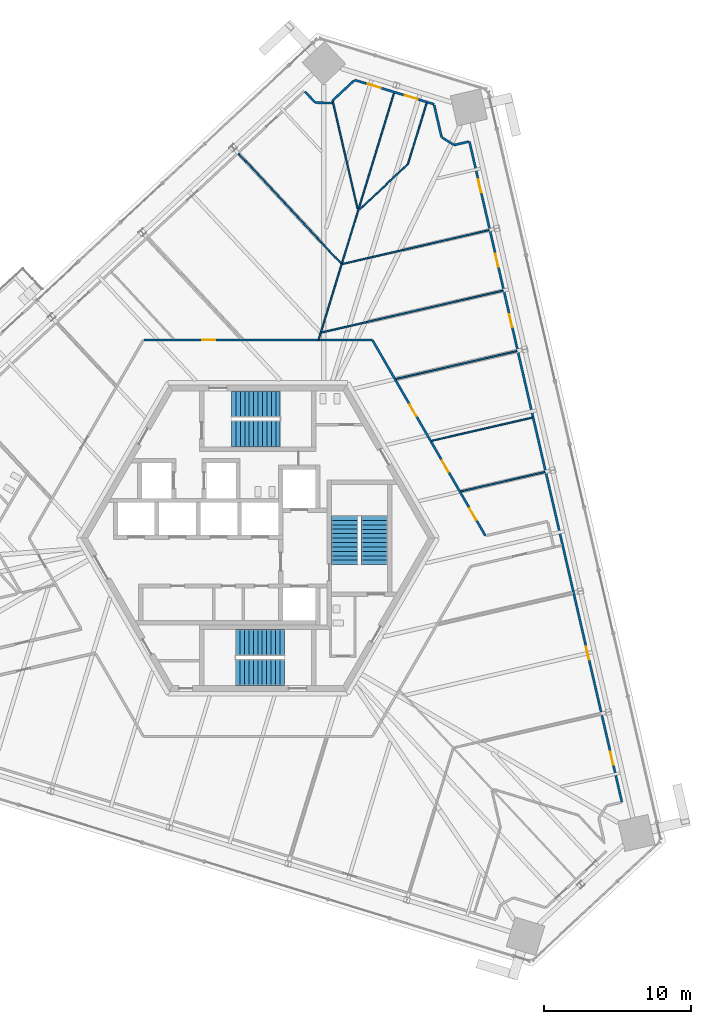
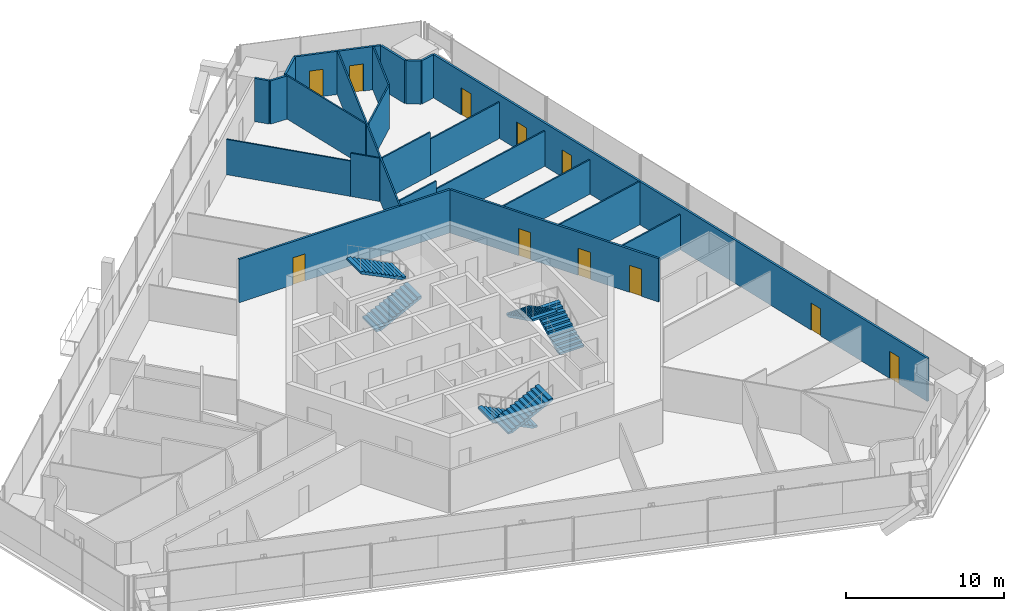
# One storey, part 21 of 25: 23 walls, 11 doors, 6 stair flights, 11 openings, 3 elements without a shape of their own.
"""IFC4 building model written with IfcOpenShell, lengths in metres."""

from ifc_helpers import new_model, si_unit, direction, frame, frame_2d, origin, place, context, subcontext, project, spatial, polyline, rectangle, outline, extrude, source, transform, mapped, material, layer, layer_set, type_object, element, fill, aggregate, save


model = new_model("IFC4")

# Units and contexts
model_context = context("Model", 3, precision=1e-05, world=origin(), true_north=direction((0.0, 1.0)))
body_context = subcontext(model_context, "Body", "Model", "MODEL_VIEW")
ifc_project = project(units=[si_unit("LENGTHUNIT", "METRE"), si_unit("AREAUNIT", "SQUARE_METRE"), si_unit("VOLUMEUNIT", "CUBIC_METRE"), si_unit("PLANEANGLEUNIT", "RADIAN"), si_unit("MASSUNIT", "GRAM", prefix="KILO")], contexts=[model_context])

# Site, building, storey
site_placement = place(None, origin())
site = spatial("IfcSite", under=ifc_project, at=site_placement, CompositionType="ELEMENT")
building_placement = place(site_placement, origin())
building = spatial("IfcBuilding", under=site, at=building_placement, Name="Triune Harvest Tower", CompositionType="ELEMENT")
storey_placement = place(building_placement, frame((0.0, 0.0, 130.699951171875)))
storey = spatial("IfcBuildingStorey", under=building, at=storey_placement, Name="L33", CompositionType="ELEMENT", Elevation=130.699951171875)

# Wall, openings, doors
ifc_material_1 = material(Name="Gypsum board on steel studs", Category="steel")
ifc_layer_1 = layer(ifc_material_1, 0.14990234375)
ifc_layer_set_1 = layer_set([ifc_layer_1], Name="Gypsum board on steel studs")
wall_type_1 = type_object("IfcWallType", Name="Fire Partition 150 mm", PredefinedType="PARTITIONING", material=ifc_layer_set_1)
wall_1_placement = place(storey_placement, frame((14.33984375, 26.903564453125, 0.0), z_axis=(0.0, 0.0, 1.0), x_axis=(0.224956459393, -0.974368816916, 0.0)))
wall_1 = element("IfcWall", 1, at=wall_1_placement, inside=storey, type_object=wall_type_1, Name="Partition L33 007", PredefinedType="PARTITIONING", context=body_context, shape_type="SweptSolid", body=[
    extrude(rectangle(XDim=45.976806640625, YDim=0.14990234375, at=frame_2d((22.98828125, 0.0))), origin(), (0.0, 0.0, 1.0), 3.35009765625),
])
opening_1_placement = place(wall_1_placement, frame((42.46728515625, 0.0, 0.0)))
opening_1 = element("IfcOpeningElement", 2, at=opening_1_placement, cuts=wall_1, Name="Opening L33-001", PredefinedType="OPENING", context=body_context, shape_type="SweptSolid", body=[
    extrude(rectangle(XDim=0.89990234375, YDim=2.10009765625, at=frame_2d((0.449951171875, 1.050048828125))), frame((0.0, 0.0849609375, 0.0), z_axis=(0.0, -1.0, 0.0), x_axis=(1.0, 0.0, 0.0)), (0.0, 0.0, 1.0), 0.169921875),
])
opening_2_placement = place(wall_1_placement, frame((35.152587890625, 0.0, 0.0)))
opening_2 = element("IfcOpeningElement", 3, at=opening_2_placement, cuts=wall_1, Name="Opening L33-002", PredefinedType="OPENING", context=body_context, shape_type="SweptSolid", body=[
    extrude(rectangle(XDim=0.89990234375, YDim=2.10009765625, at=frame_2d((0.449951171875, 1.050048828125))), frame((0.0, 0.0849609375, 0.0), z_axis=(0.0, -1.0, 0.0), x_axis=(1.0, 0.0, 0.0)), (0.0, 0.0, 1.0), 0.169921875),
])
opening_3_placement = place(wall_1_placement, frame((7.809326171875, 0.0, 0.0)))
opening_3 = element("IfcOpeningElement", 4, at=opening_3_placement, cuts=wall_1, Name="Opening L33-007", PredefinedType="OPENING", context=body_context, shape_type="SweptSolid", body=[
    extrude(rectangle(XDim=0.89990234375, YDim=2.10009765625, at=frame_2d((0.449951171875, 1.050048828125))), frame((0.0, 0.0849609375, 0.0), z_axis=(0.0, -1.0, 0.0), x_axis=(1.0, 0.0, 0.0)), (0.0, 0.0, 1.0), 0.169921875),
])
opening_4_placement = place(wall_1_placement, frame((12.0166015625, 0.0, 0.0)))
opening_4 = element("IfcOpeningElement", 5, at=opening_4_placement, cuts=wall_1, Name="Opening L33-008", PredefinedType="OPENING", context=body_context, shape_type="SweptSolid", body=[
    extrude(rectangle(XDim=0.89990234375, YDim=2.10009765625, at=frame_2d((0.449951171875, 1.050048828125))), frame((0.0, 0.0849609375, 0.0), z_axis=(0.0, -1.0, 0.0), x_axis=(1.0, 0.0, 0.0)), (0.0, 0.0, 1.0), 0.169921875),
])
opening_5_placement = place(wall_1_placement, frame((2.64990234375, 0.0, 0.0)))
opening_5 = element("IfcOpeningElement", 6, at=opening_5_placement, cuts=wall_1, Name="Opening L33-009", PredefinedType="OPENING", context=body_context, shape_type="SweptSolid", body=[
    extrude(rectangle(XDim=0.89990234375, YDim=2.10009765625, at=frame_2d((0.449951171875, 1.050048828125))), frame((0.0, 0.0849609375, 0.0), z_axis=(0.0, -1.0, 0.0), x_axis=(1.0, 0.0, 0.0)), (0.0, 0.0, 1.0), 0.169921875),
])
ifc_material_2 = material(Name="Timber and steel door set", Category="steel")
door_type_1 = type_object("IfcDoorType", Name="Single leaf door FD30 left hand 900 x 2100", OperationType="SINGLE_SWING_LEFT", PredefinedType="DOOR", material=ifc_material_2)
door_1_placement = place(opening_1_placement, origin())
door_1 = element("IfcDoor", 7, at=door_1_placement, inside=storey, type_object=door_type_1, Name="Door L33-001 Reception 33.01", OperationType="SINGLE_SWING_LEFT", OverallHeight=2.10009765625, OverallWidth=0.89990234375, PredefinedType="DOOR", context=body_context, shape_type="SweptSolid", body=[
    extrude(rectangle(XDim=0.89990234375, YDim=2.10009765625, at=frame_2d((0.449951171875, 1.050048828125))), frame((0.0, 0.02490234375, 0.0), z_axis=(0.0, -1.0, 0.0), x_axis=(1.0, 0.0, 0.0)), (0.0, 0.0, 1.0), 0.050048828125),
])
fill(opening_1, door_1)
door_2_placement = place(opening_2_placement, origin())
door_2 = element("IfcDoor", 8, at=door_2_placement, inside=storey, type_object=door_type_1, Name="Door L33-002 Project Room 33.02", OperationType="SINGLE_SWING_LEFT", OverallHeight=2.10009765625, OverallWidth=0.89990234375, PredefinedType="DOOR", context=body_context, shape_type="SweptSolid", body=[
    extrude(rectangle(XDim=0.89990234375, YDim=2.10009765625, at=frame_2d((0.449951171875, 1.050048828125))), frame((0.0, 0.02490234375, 0.0), z_axis=(0.0, -1.0, 0.0), x_axis=(1.0, 0.0, 0.0)), (0.0, 0.0, 1.0), 0.050048828125),
])
fill(opening_2, door_2)
ifc_material_3 = material(Name="Timber and steel door set", Category="steel")
door_type_2 = type_object("IfcDoorType", Name="Single leaf door FD30 right hand 900 x 2100", OperationType="SINGLE_SWING_RIGHT", PredefinedType="DOOR", material=ifc_material_3)
door_3_placement = place(opening_3_placement, origin())
door_3 = element("IfcDoor", 9, at=door_3_placement, inside=storey, type_object=door_type_2, Name="Door L33-007 Office 33.07", OperationType="SINGLE_SWING_RIGHT", OverallHeight=2.10009765625, OverallWidth=0.89990234375, PredefinedType="DOOR", context=body_context, shape_type="SweptSolid", body=[
    extrude(rectangle(XDim=0.89990234375, YDim=2.10009765625, at=frame_2d((0.449951171875, 1.050048828125))), frame((0.0, 0.02490234375, 0.0), z_axis=(0.0, -1.0, 0.0), x_axis=(1.0, 0.0, 0.0)), (0.0, 0.0, 1.0), 0.050048828125),
])
fill(opening_3, door_3)
door_4_placement = place(opening_4_placement, origin())
door_4 = element("IfcDoor", 10, at=door_4_placement, inside=storey, type_object=door_type_2, Name="Door L33-008 Office 33.08", OperationType="SINGLE_SWING_RIGHT", OverallHeight=2.10009765625, OverallWidth=0.89990234375, PredefinedType="DOOR", context=body_context, shape_type="SweptSolid", body=[
    extrude(rectangle(XDim=0.89990234375, YDim=2.10009765625, at=frame_2d((0.449951171875, 1.050048828125))), frame((0.0, 0.02490234375, 0.0), z_axis=(0.0, -1.0, 0.0), x_axis=(1.0, 0.0, 0.0)), (0.0, 0.0, 1.0), 0.050048828125),
])
fill(opening_4, door_4)
door_5_placement = place(opening_5_placement, origin())
door_5 = element("IfcDoor", 11, at=door_5_placement, inside=storey, type_object=door_type_2, Name="Door L33-009 Project Room 33.09", OperationType="SINGLE_SWING_RIGHT", OverallHeight=2.10009765625, OverallWidth=0.89990234375, PredefinedType="DOOR", context=body_context, shape_type="SweptSolid", body=[
    extrude(rectangle(XDim=0.89990234375, YDim=2.10009765625, at=frame_2d((0.449951171875, 1.050048828125))), frame((0.0, 0.02490234375, 0.0), z_axis=(0.0, -1.0, 0.0), x_axis=(1.0, 0.0, 0.0)), (0.0, 0.0, 1.0), 0.050048828125),
])
fill(opening_5, door_5)

wall_2_placement = place(storey_placement, frame((7.785888671875, 13.39892578125, 0.0), z_axis=(0.0, 0.0, 1.0), x_axis=(0.499997244953, -0.866026994406, 0.0)))
wall_2 = element("IfcWall", 12, at=wall_2_placement, inside=storey, type_object=wall_type_1, Name="Partition L33 011", PredefinedType="PARTITIONING", context=body_context, shape_type="SweptSolid", body=[
    extrude(rectangle(XDim=15.27880859375, YDim=0.14990234375, at=frame_2d((7.639404296875, 0.0))), origin(), (0.0, 0.0, 1.0), 3.35009765625),
])
opening_6_placement = place(wall_2_placement, frame((13.12890625, 0.0, 0.0)))
opening_6 = element("IfcOpeningElement", 13, at=opening_6_placement, cuts=wall_2, Name="Opening L33-004", PredefinedType="OPENING", context=body_context, shape_type="SweptSolid", body=[
    extrude(rectangle(XDim=0.89990234375, YDim=2.10009765625, at=frame_2d((0.449951171875, 1.050048828125))), frame((0.0, 0.0849609375, 0.0), z_axis=(0.0, -1.0, 0.0), x_axis=(1.0, 0.0, 0.0)), (0.0, 0.0, 1.0), 0.169921875),
])
opening_7_placement = place(wall_2_placement, frame((5.010986328125, 0.0, 0.0)))
opening_7 = element("IfcOpeningElement", 14, at=opening_7_placement, cuts=wall_2, Name="Opening L33-005", PredefinedType="OPENING", context=body_context, shape_type="SweptSolid", body=[
    extrude(rectangle(XDim=0.89990234375, YDim=2.10009765625, at=frame_2d((0.449951171875, 1.050048828125))), frame((0.0, 0.0849609375, 0.0), z_axis=(0.0, -1.0, 0.0), x_axis=(1.0, 0.0, 0.0)), (0.0, 0.0, 1.0), 0.169921875),
])
opening_8_placement = place(wall_2_placement, frame((9.37060546875, 0.0, 0.0)))
opening_8 = element("IfcOpeningElement", 15, at=opening_8_placement, cuts=wall_2, Name="Opening L33-006", PredefinedType="OPENING", context=body_context, shape_type="SweptSolid", body=[
    extrude(rectangle(XDim=0.89990234375, YDim=2.10009765625, at=frame_2d((0.449951171875, 1.050048828125))), frame((0.0, 0.0849609375, 0.0), z_axis=(0.0, -1.0, 0.0), x_axis=(1.0, 0.0, 0.0)), (0.0, 0.0, 1.0), 0.169921875),
])
door_6_placement = place(opening_7_placement, origin())
door_6 = element("IfcDoor", 16, at=door_6_placement, inside=storey, type_object=door_type_1, Name="Door L33-005 Project Room 33.05", OperationType="SINGLE_SWING_LEFT", OverallHeight=2.10009765625, OverallWidth=0.89990234375, PredefinedType="DOOR", context=body_context, shape_type="SweptSolid", body=[
    extrude(rectangle(XDim=0.89990234375, YDim=2.10009765625, at=frame_2d((0.449951171875, 1.050048828125))), frame((0.0, 0.02490234375, 0.0), z_axis=(0.0, -1.0, 0.0), x_axis=(1.0, 0.0, 0.0)), (0.0, 0.0, 1.0), 0.050048828125),
])
fill(opening_7, door_6)
door_7_placement = place(opening_6_placement, origin())
door_7 = element("IfcDoor", 17, at=door_7_placement, inside=storey, type_object=door_type_2, Name="Door L33-004 Meeting Room 33.04", OperationType="SINGLE_SWING_RIGHT", OverallHeight=2.10009765625, OverallWidth=0.89990234375, PredefinedType="DOOR", context=body_context, shape_type="SweptSolid", body=[
    extrude(rectangle(XDim=0.89990234375, YDim=2.10009765625, at=frame_2d((0.449951171875, 1.050048828125))), frame((0.0, 0.02490234375, 0.0), z_axis=(0.0, -1.0, 0.0), x_axis=(1.0, 0.0, 0.0)), (0.0, 0.0, 1.0), 0.050048828125),
])
fill(opening_6, door_7)
door_8_placement = place(opening_8_placement, origin())
door_8 = element("IfcDoor", 18, at=door_8_placement, inside=storey, type_object=door_type_2, Name="Door L33-006 Pantry 33.06", OperationType="SINGLE_SWING_RIGHT", OverallHeight=2.10009765625, OverallWidth=0.89990234375, PredefinedType="DOOR", context=body_context, shape_type="SweptSolid", body=[
    extrude(rectangle(XDim=0.89990234375, YDim=2.10009765625, at=frame_2d((0.449951171875, 1.050048828125))), frame((0.0, 0.02490234375, 0.0), z_axis=(0.0, -1.0, 0.0), x_axis=(1.0, 0.0, 0.0)), (0.0, 0.0, 1.0), 0.050048828125),
])
fill(opening_8, door_8)

# Wall
wall_3_placement = place(storey_placement, frame((3.190185546875, 30.2861328125, 0.0), z_axis=(0.0, 0.0, 1.0), x_axis=(0.682089280606, -0.731268906273, 0.0)))
element("IfcWall", 19, at=wall_3_placement, inside=storey, type_object=wall_type_1, Name="Partition L33 025", PredefinedType="PARTITIONING", context=body_context, shape_type="SweptSolid", body=[
    extrude(rectangle(XDim=0.98779296875, YDim=0.14990234375, at=frame_2d((0.493896484375, 0.0))), origin(), (0.0, 0.0, 1.0), 3.35009765625),
])

# Wall, openings, doors
wall_4_placement = place(storey_placement, frame((6.5595703125, 31.072509765625, 0.0), z_axis=(0.0, 0.0, 1.0), x_axis=(0.956315172659, -0.292337631076, 0.0)))
wall_4 = element("IfcWall", 20, at=wall_4_placement, inside=storey, type_object=wall_type_1, Name="Partition L33 032", PredefinedType="PARTITIONING", context=body_context, shape_type="SweptSolid", body=[
    extrude(rectangle(XDim=5.62451171875, YDim=0.14990234375, at=frame_2d((2.812255859375, 0.0))), origin(), (0.0, 0.0, 1.0), 3.35009765625),
])
opening_9_placement = place(wall_4_placement, frame((3.56201171875, 0.0, 0.0)))
opening_9 = element("IfcOpeningElement", 21, at=opening_9_placement, cuts=wall_4, Name="Opening L33-010", PredefinedType="OPENING", context=body_context, shape_type="SweptSolid", body=[
    extrude(rectangle(XDim=0.89990234375, YDim=2.10009765625, at=frame_2d((0.449951171875, 1.050048828125))), frame((0.0, 0.0849609375, 0.0), z_axis=(0.0, -1.0, 0.0), x_axis=(1.0, 0.0, 0.0)), (0.0, 0.0, 1.0), 0.169921875),
])
opening_10_placement = place(wall_4_placement, frame((0.951171875, 0.0, 0.0)))
opening_10 = element("IfcOpeningElement", 22, at=opening_10_placement, cuts=wall_4, Name="Opening L33-011", PredefinedType="OPENING", context=body_context, shape_type="SweptSolid", body=[
    extrude(rectangle(XDim=0.89990234375, YDim=2.10009765625, at=frame_2d((0.449951171875, 1.050048828125))), frame((0.0, 0.0849609375, 0.0), z_axis=(0.0, -1.0, 0.0), x_axis=(1.0, 0.0, 0.0)), (0.0, 0.0, 1.0), 0.169921875),
])
door_9_placement = place(opening_9_placement, origin())
door_9 = element("IfcDoor", 23, at=door_9_placement, inside=storey, type_object=door_type_1, Name="Door L33-010 Print room 33.10", OperationType="SINGLE_SWING_LEFT", OverallHeight=2.10009765625, OverallWidth=0.89990234375, PredefinedType="DOOR", context=body_context, shape_type="SweptSolid", body=[
    extrude(rectangle(XDim=0.89990234375, YDim=2.10009765625, at=frame_2d((0.449951171875, 1.050048828125))), frame((0.0, 0.02490234375, 0.0), z_axis=(0.0, -1.0, 0.0), x_axis=(1.0, 0.0, 0.0)), (0.0, 0.0, 1.0), 0.050048828125),
])
fill(opening_9, door_9)
door_10_placement = place(opening_10_placement, origin())
door_10 = element("IfcDoor", 24, at=door_10_placement, inside=storey, type_object=door_type_2, Name="Door L33-011 Pantry 33.11", OperationType="SINGLE_SWING_RIGHT", OverallHeight=2.10009765625, OverallWidth=0.89990234375, PredefinedType="DOOR", context=body_context, shape_type="SweptSolid", body=[
    extrude(rectangle(XDim=0.89990234375, YDim=2.10009765625, at=frame_2d((0.449951171875, 1.050048828125))), frame((0.0, 0.02490234375, 0.0), z_axis=(0.0, -1.0, 0.0), x_axis=(1.0, 0.0, 0.0)), (0.0, 0.0, 1.0), 0.050048828125),
])
fill(opening_10, door_10)

# Wall
wall_5_placement = place(storey_placement, frame((3.884521484375, 29.541748046875, 0.0), z_axis=(0.0, 0.0, 1.0), x_axis=(0.999392540389, -0.034850397629, 0.0)))
element("IfcWall", 25, at=wall_5_placement, inside=storey, type_object=wall_type_1, Name="Partition L33 033", PredefinedType="PARTITIONING", context=body_context, shape_type="SweptSolid", body=[
    extrude(rectangle(XDim=1.169921875, YDim=0.14990234375, at=frame_2d((0.5849609375, 0.0))), origin(), (0.0, 0.0, 1.0), 3.35009765625),
])

# Wall, opening, door
wall_6_placement = place(storey_placement, frame((-7.720947265625, 13.4423828125, 0.0), z_axis=(0.0, 0.0, 1.0), x_axis=(1.0, 0.0, 0.0)))
wall_6 = element("IfcWall", 26, at=wall_6_placement, inside=storey, type_object=wall_type_1, Name="Partition L33 035", PredefinedType="PARTITIONING", context=body_context, shape_type="SweptSolid", body=[
    extrude(rectangle(XDim=15.48193359375, YDim=0.14990234375, at=frame_2d((7.740966796875, 0.0))), origin(), (0.0, 0.0, 1.0), 3.35009765625),
])
opening_11_placement = place(wall_6_placement, frame((3.94091796875, 0.0, 0.0)))
opening_11 = element("IfcOpeningElement", 27, at=opening_11_placement, cuts=wall_6, Name="Opening L33-015", PredefinedType="OPENING", context=body_context, shape_type="SweptSolid", body=[
    extrude(rectangle(XDim=0.89990234375, YDim=2.10009765625, at=frame_2d((0.449951171875, 1.050048828125))), frame((0.0, 0.0849609375, 0.0), z_axis=(0.0, -1.0, 0.0), x_axis=(1.0, 0.0, 0.0)), (0.0, 0.0, 1.0), 0.169921875),
])
door_11_placement = place(opening_11_placement, origin())
door_11 = element("IfcDoor", 28, at=door_11_placement, inside=storey, type_object=door_type_1, Name="Door L33-015 Office 33.15", OperationType="SINGLE_SWING_LEFT", OverallHeight=2.10009765625, OverallWidth=0.89990234375, PredefinedType="DOOR", context=body_context, shape_type="SweptSolid", body=[
    extrude(rectangle(XDim=0.89990234375, YDim=2.10009765625, at=frame_2d((0.449951171875, 1.050048828125))), frame((0.0, 0.02490234375, 0.0), z_axis=(0.0, -1.0, 0.0), x_axis=(1.0, 0.0, 0.0)), (0.0, 0.0, 1.0), 0.050048828125),
])
fill(opening_11, door_11)

# Walls
wall_7_placement = place(storey_placement, frame((5.077392578125, 29.689208984375, 0.0), z_axis=(0.0, 0.0, 1.0), x_axis=(0.731420456518, 0.681926767173, 0.0)))
element("IfcWall", 29, at=wall_7_placement, inside=storey, type_object=wall_type_1, Name="Partition L33 059", PredefinedType="PARTITIONING", context=body_context, shape_type="SweptSolid", body=[
    extrude(rectangle(XDim=1.97802734375, YDim=0.14990234375, at=frame_2d((0.989013671875, 0.0))), origin(), (0.0, 0.0, 1.0), 3.35009765625),
])
ifc_material_4 = material(Name="Gypsum board on steel studs", Category="steel")
ifc_layer_2 = layer(ifc_material_4, 0.10009765625)
ifc_layer_set_2 = layer_set([ifc_layer_2], Name="Gypsum board on steel studs")
wall_type_2 = type_object("IfcWallType", Name="Partition 100 mm", PredefinedType="PARTITIONING", material=ifc_layer_set_2)
wall_8_placement = place(storey_placement, frame((5.063232421875, 29.675537109375, 0.0), z_axis=(0.0, 0.0, 1.0), x_axis=(0.224947245837, -0.974370944041, 0.0)))
element("IfcWall", 30, at=wall_8_placement, inside=storey, type_object=wall_type_2, Name="Partition L33 002", PredefinedType="PARTITIONING", context=body_context, shape_type="SweptSolid", body=[
    extrude(rectangle(XDim=7.51904296875, YDim=0.10009765625, at=frame_2d((3.759521484375, 0.0))), origin(), (0.0, 0.0, 1.0), 3.35009765625),
])
wall_9_placement = place(storey_placement, frame((-1.314453125, 26.08544921875, 0.0), z_axis=(0.0, 0.0, 1.0), x_axis=(0.682001462591, -0.731350808453, 0.0)))
element("IfcWall", 31, at=wall_9_placement, inside=storey, type_object=wall_type_2, Name="Partition L33 024", PredefinedType="PARTITIONING", context=body_context, shape_type="SweptSolid", body=[
    extrude(rectangle(XDim=8.266845703125, YDim=0.10009765625, at=frame_2d((4.13330078125, 0.0))), origin(), (0.0, 0.0, 1.0), 2.73779296875),
])
wall_10_placement = place(storey_placement, frame((4.323486328125, 20.03955078125, 0.0), z_axis=(0.0, 0.0, 1.0), x_axis=(0.6820238949, -0.731329889165, 0.0)))
element("IfcWall", 32, at=wall_10_placement, inside=storey, type_object=wall_type_2, Name="Partition L33 024a", PredefinedType="PARTITIONING", context=body_context, shape_type="SweptSolid", body=[
    extrude(rectangle(XDim=1.921142578125, YDim=0.10009765625, at=frame_2d((0.96044921875, 0.0))), origin(), (0.0, 0.0, 1.0), 3.35009765625),
])
wall_11_placement = place(storey_placement, frame((13.764404296875, 3.177734375, 0.0), z_axis=(0.0, 0.0, 1.0), x_axis=(0.974363043156, 0.224981466197, 0.0)))
element("IfcWall", 33, at=wall_11_placement, inside=storey, type_object=wall_type_2, Name="Partition L33 047", PredefinedType="PARTITIONING", context=body_context, shape_type="SweptSolid", body=[
    extrude(rectangle(XDim=5.847900390625, YDim=0.10009765625, at=frame_2d((2.923828125, 0.0))), origin(), (0.0, 0.0, 1.0), 2.73779296875),
])
wall_12_placement = place(storey_placement, frame((11.78466796875, 6.606689453125, 0.0), z_axis=(0.0, 0.0, 1.0), x_axis=(0.974368871284, 0.224956223904, 0.0)))
element("IfcWall", 34, at=wall_12_placement, inside=storey, type_object=wall_type_2, Name="Partition L33 048", PredefinedType="PARTITIONING", context=body_context, shape_type="SweptSolid", body=[
    extrude(rectangle(XDim=7.00537109375, YDim=0.10009765625, at=frame_2d((3.502685546875, 0.0))), origin(), (0.0, 0.0, 1.0), 3.35009765625),
])
wall_13_placement = place(storey_placement, frame((9.364990234375, 10.7978515625, 0.0), z_axis=(0.0, 0.0, 1.0), x_axis=(0.974373600825, 0.224935737523, 0.0)))
element("IfcWall", 35, at=wall_13_placement, inside=storey, type_object=wall_type_2, Name="Partition L33 049", PredefinedType="PARTITIONING", context=body_context, shape_type="SweptSolid", body=[
    extrude(rectangle(XDim=8.42041015625, YDim=0.10009765625, at=frame_2d((4.210205078125, 0.0))), origin(), (0.0, 0.0, 1.0), 2.666748046875),
])
wall_14_placement = place(storey_placement, frame((4.319580078125, 13.950927734375, 0.0), z_axis=(0.0, 0.0, 1.0), x_axis=(0.974369438504, 0.224953767048, 0.0)))
element("IfcWall", 36, at=wall_14_placement, inside=storey, type_object=wall_type_2, Name="Partition L33 050", PredefinedType="PARTITIONING", context=body_context, shape_type="SweptSolid", body=[
    extrude(rectangle(XDim=3.2158203125, YDim=0.10009765625, at=frame_2d((1.60791015625, 0.0))), origin(), (0.0, 0.0, 1.0), 3.35009765625),
])
wall_15_placement = place(storey_placement, frame((7.452880859375, 14.67431640625, 0.0), z_axis=(0.0, 0.0, 1.0), x_axis=(0.974368018549, 0.224959917384, 0.0)))
element("IfcWall", 37, at=wall_15_placement, inside=storey, type_object=wall_type_2, Name="Partition L33 050a", PredefinedType="PARTITIONING", context=body_context, shape_type="SweptSolid", body=[
    extrude(rectangle(XDim=9.411376953125, YDim=0.10009765625, at=frame_2d((4.70556640625, 0.0))), origin(), (0.0, 0.0, 1.0), 2.73779296875),
])
wall_16_placement = place(storey_placement, frame((5.749755859375, 18.598876953125, 0.0), z_axis=(0.0, 0.0, 1.0), x_axis=(0.974368422322, 0.224958168515, 0.0)))
element("IfcWall", 38, at=wall_16_placement, inside=storey, type_object=wall_type_2, Name="Partition L33 051", PredefinedType="PARTITIONING", context=body_context, shape_type="SweptSolid", body=[
    extrude(rectangle(XDim=4.156494140625, YDim=0.10009765625, at=frame_2d((2.078125, 0.0))), origin(), (0.0, 0.0, 1.0), 3.35009765625),
])
wall_17_placement = place(storey_placement, frame((9.7998046875, 19.533935546875, 0.0), z_axis=(0.0, 0.0, 1.0), x_axis=(0.974363216907, 0.224980713704, 0.0)))
element("IfcWall", 39, at=wall_17_placement, inside=storey, type_object=wall_type_2, Name="Partition L33 051a", PredefinedType="PARTITIONING", context=body_context, shape_type="SweptSolid", body=[
    extrude(rectangle(XDim=6.03125, YDim=0.10009765625, at=frame_2d((3.015625, 0.0))), origin(), (0.0, 0.0, 1.0), 2.81396484375),
])
wall_18_placement = place(storey_placement, frame((6.897705078125, 22.305419921875, 0.0), z_axis=(0.0, 0.0, 1.0), x_axis=(0.731347430097, 0.682005085384, 0.0)))
element("IfcWall", 40, at=wall_18_placement, inside=storey, type_object=wall_type_2, Name="Partition L33 056", PredefinedType="PARTITIONING", context=body_context, shape_type="SweptSolid", body=[
    extrude(rectangle(XDim=4.472900390625, YDim=0.10009765625, at=frame_2d((2.236328125, 0.0))), origin(), (0.0, 0.0, 1.0), 3.35009765625),
])
wall_19_placement = place(storey_placement, frame((10.172119140625, 25.365234375, 0.0), z_axis=(0.0, 0.0, 1.0), x_axis=(0.292394243401, 0.956297864907, 0.0)))
element("IfcWall", 41, at=wall_19_placement, inside=storey, type_object=wall_type_2, Name="Partition L33 069", PredefinedType="PARTITIONING", context=body_context, shape_type="SweptSolid", body=[
    extrude(rectangle(XDim=4.341796875, YDim=0.10009765625, at=frame_2d((2.1708984375, 0.0))), origin(), (0.0, 0.0, 1.0), 3.35009765625),
])
wall_20_placement = place(storey_placement, frame((4.109619140625, 13.4423828125, 0.0), z_axis=(0.0, 0.0, 1.0), x_axis=(0.292392861601, 0.9562982874, 0.0)))
element("IfcWall", 42, at=wall_20_placement, inside=storey, type_object=wall_type_2, Name="Partition L33 070", PredefinedType="PARTITIONING", context=body_context, shape_type="SweptSolid", body=[
    extrude(rectangle(XDim=17.576171875, YDim=0.10009765625, at=frame_2d((8.7880859375, 0.0))), origin(), (0.0, 0.0, 1.0), 3.35009765625),
])
shared_shape_1 = source(origin(), body_context, "Body", "SweptSolid", [
    extrude(rectangle(XDim=2.2451171875, YDim=0.14990234375, at=frame_2d((1.12255859375, 0.0))), origin(), (0.0, 0.0, 1.0), 3.35009765625),
])
wall_21_placement = place(storey_placement, frame((11.94873046875, 29.3798828125, 0.0), z_axis=(0.0, 0.0, 1.0), x_axis=(0.224891275716, -0.974383863837, 0.0)))
element("IfcWall", 43, at=wall_21_placement, inside=storey, type_object=wall_type_1, Name="Partition L33 004", PredefinedType="PARTITIONING", context=body_context, shape_type="MappedRepresentation", body=[
    mapped(shared_shape_1, transform((0.0, 0.0, 0.0), scale=1.0)),
])
shared_shape_2 = source(origin(), body_context, "Body", "SweptSolid", [
    extrude(rectangle(XDim=1.017822265625, YDim=0.14990234375, at=frame_2d((0.5087890625, 0.0))), origin(), (0.0, 0.0, 1.0), 3.35009765625),
])
wall_22_placement = place(storey_placement, frame((13.29931640625, 26.663330078125, 0.0), z_axis=(0.0, 0.0, 1.0), x_axis=(0.974358843364, 0.22499965413, 0.0)))
element("IfcWall", 44, at=wall_22_placement, inside=storey, type_object=wall_type_1, Name="Partition L33 052", PredefinedType="PARTITIONING", context=body_context, shape_type="MappedRepresentation", body=[
    mapped(shared_shape_2, transform((0.0, 0.0, 0.0), scale=1.0)),
])
shared_shape_3 = source(origin(), body_context, "Body", "SweptSolid", [
    extrude(rectangle(XDim=0.938232421875, YDim=0.14990234375, at=frame_2d((0.46923828125, 0.0))), origin(), (0.0, 0.0, 1.0), 3.35009765625),
])
wall_23_placement = place(storey_placement, frame((12.478271484375, 27.176513671875, 0.0), z_axis=(0.0, 0.0, 1.0), x_axis=(0.847983685845, -0.530022328342, 0.0)))
element("IfcWall", 45, at=wall_23_placement, inside=storey, type_object=wall_type_1, Name="Partition L33 026", PredefinedType="PARTITIONING", context=body_context, shape_type="MappedRepresentation", body=[
    mapped(shared_shape_3, transform((0.0, 0.0, 0.0), scale=1.0)),
])

# Stair, stair flights
ifc_material_5 = material(Name="Concrete 40 MPa", Category="concrete")
stair_type = type_object("IfcStairType", Name="Exit stair 1800 half turn", PredefinedType="HALF_TURN_STAIR", material=ifc_material_5)
stair_1_placement = place(storey_placement, origin())
stair_1 = element("IfcStair", 46, at=stair_1_placement, inside=storey, type_object=stair_type, Name="Exit stair north", PredefinedType="HALF_TURN_STAIR")
ifc_material_6 = material(Name="Concrete 40 MPa", Category="concrete")
stair_flight_type = type_object("IfcStairFlightType", Name="Stair flight 1800", PredefinedType="STRAIGHT", material=ifc_material_6)
shared_shape_4 = source(origin(), body_context, "Body", "SweptSolid", [
    extrude(outline(polyline([(0.0, 0.0), (0.0, 0.14990234375), (0.300048828125, 0.14990234375), (0.300048828125, 0.300048828125), (0.60009765625, 0.300048828125), (0.60009765625, 0.449951171875), (0.89990234375, 0.449951171875), (0.89990234375, 0.60009765625), (1.199951171875, 0.60009765625), (1.199951171875, 0.75), (1.5, 0.75), (1.5, 0.89990234375), (1.800048828125, 0.89990234375), (1.800048828125, 1.050048828125), (2.10009765625, 1.050048828125), (2.10009765625, 1.199951171875), (2.39990234375, 1.199951171875), (2.39990234375, 1.35009765625), (2.699951171875, 1.35009765625), (2.699951171875, 1.5), (3.0, 1.5), (3.0, 1.64990234375), (3.300048828125, 1.64990234375), (3.300048828125, 1.800048828125), (3.300048828125, 1.482421875), (0.335205078125, 0.0), (0.0, 0.0)])), frame((0.0, 0.89990234375, 0.0), z_axis=(0.0, -1.0, 0.0), x_axis=(1.0, 0.0, 0.0)), (0.0, 0.0, 1.0), 1.800048828125),
])
stair_flight_1_placement = place(storey_placement, frame((-1.7900390625, 7.090087890625, 0.0), z_axis=(0.0, 0.0, 1.0), x_axis=(1.0, 0.0, 0.0)))
stair_flight_1 = element("IfcStairFlight", 47, at=stair_flight_1_placement, type_object=stair_flight_type, Name="ST-1 flight 1", NumberOfRisers=12, NumberOfTreads=11, PredefinedType="STRAIGHT", RiserHeight=0.15, TreadLength=0.3, context=body_context, shape_type="MappedRepresentation", body=[
    mapped(shared_shape_4, transform((0.0, 0.0, 0.0), scale=1.0)),
])
stair_flight_2_placement = place(storey_placement, frame((1.510009765625, 9.090087890625, 1.800048828125), z_axis=(0.0, 0.0, 1.0), x_axis=(-1.0, 0.0, 0.0)))
stair_flight_2 = element("IfcStairFlight", 48, at=stair_flight_2_placement, type_object=stair_flight_type, Name="ST-1 flight 2", NumberOfRisers=12, NumberOfTreads=11, PredefinedType="STRAIGHT", RiserHeight=0.15, TreadLength=0.3, context=body_context, shape_type="MappedRepresentation", body=[
    mapped(shared_shape_4, transform((0.0, 0.0, 0.0), scale=1.0)),
])
aggregate(stair_1, [stair_flight_1, stair_flight_2])

stair_2_placement = place(storey_placement, origin())
stair_2 = element("IfcStair", 49, at=stair_2_placement, inside=storey, type_object=stair_type, Name="Exit stair south", PredefinedType="HALF_TURN_STAIR")
stair_flight_3_placement = place(storey_placement, frame((1.7900390625, -7.090087890625, 0.0), z_axis=(0.0, 0.0, 1.0), x_axis=(-1.0, 0.0, 0.0)))
stair_flight_3 = element("IfcStairFlight", 50, at=stair_flight_3_placement, type_object=stair_flight_type, Name="ST-2 flight 1", NumberOfRisers=12, NumberOfTreads=11, PredefinedType="STRAIGHT", RiserHeight=0.15, TreadLength=0.3, context=body_context, shape_type="MappedRepresentation", body=[
    mapped(shared_shape_4, transform((0.0, 0.0, 0.0), scale=1.0)),
])
stair_flight_4_placement = place(storey_placement, frame((-1.510009765625, -9.090087890625, 1.800048828125), z_axis=(0.0, 0.0, 1.0), x_axis=(1.0, 0.0, 0.0)))
stair_flight_4 = element("IfcStairFlight", 51, at=stair_flight_4_placement, type_object=stair_flight_type, Name="ST-2 flight 2", NumberOfRisers=12, NumberOfTreads=11, PredefinedType="STRAIGHT", RiserHeight=0.15, TreadLength=0.3, context=body_context, shape_type="MappedRepresentation", body=[
    mapped(shared_shape_4, transform((0.0, 0.0, 0.0), scale=1.0)),
])
aggregate(stair_2, [stair_flight_3, stair_flight_4])

stair_3_placement = place(storey_placement, origin())
stair_3 = element("IfcStair", 52, at=stair_3_placement, inside=storey, type_object=stair_type, Name="Exit stair east", PredefinedType="HALF_TURN_STAIR")
stair_flight_5_placement = place(storey_placement, frame((7.89990234375, -1.7900390625, 0.0), z_axis=(0.0, 0.0, 1.0), x_axis=(0.0, 1.0, 0.0)))
stair_flight_5 = element("IfcStairFlight", 53, at=stair_flight_5_placement, type_object=stair_flight_type, Name="ST-3 flight 1", NumberOfRisers=12, NumberOfTreads=11, PredefinedType="STRAIGHT", RiserHeight=0.15, TreadLength=0.3, context=body_context, shape_type="MappedRepresentation", body=[
    mapped(shared_shape_4, transform((0.0, 0.0, 0.0), scale=1.0)),
])
stair_flight_6_placement = place(storey_placement, frame((5.89990234375, 1.510009765625, 1.800048828125), z_axis=(0.0, 0.0, 1.0), x_axis=(0.0, -1.0, 0.0)))
stair_flight_6 = element("IfcStairFlight", 54, at=stair_flight_6_placement, type_object=stair_flight_type, Name="ST-3 flight 2", NumberOfRisers=12, NumberOfTreads=11, PredefinedType="STRAIGHT", RiserHeight=0.15, TreadLength=0.3, context=body_context, shape_type="MappedRepresentation", body=[
    mapped(shared_shape_4, transform((0.0, 0.0, 0.0), scale=1.0)),
])
aggregate(stair_3, [stair_flight_5, stair_flight_6])

save(model, "model.ifc")
